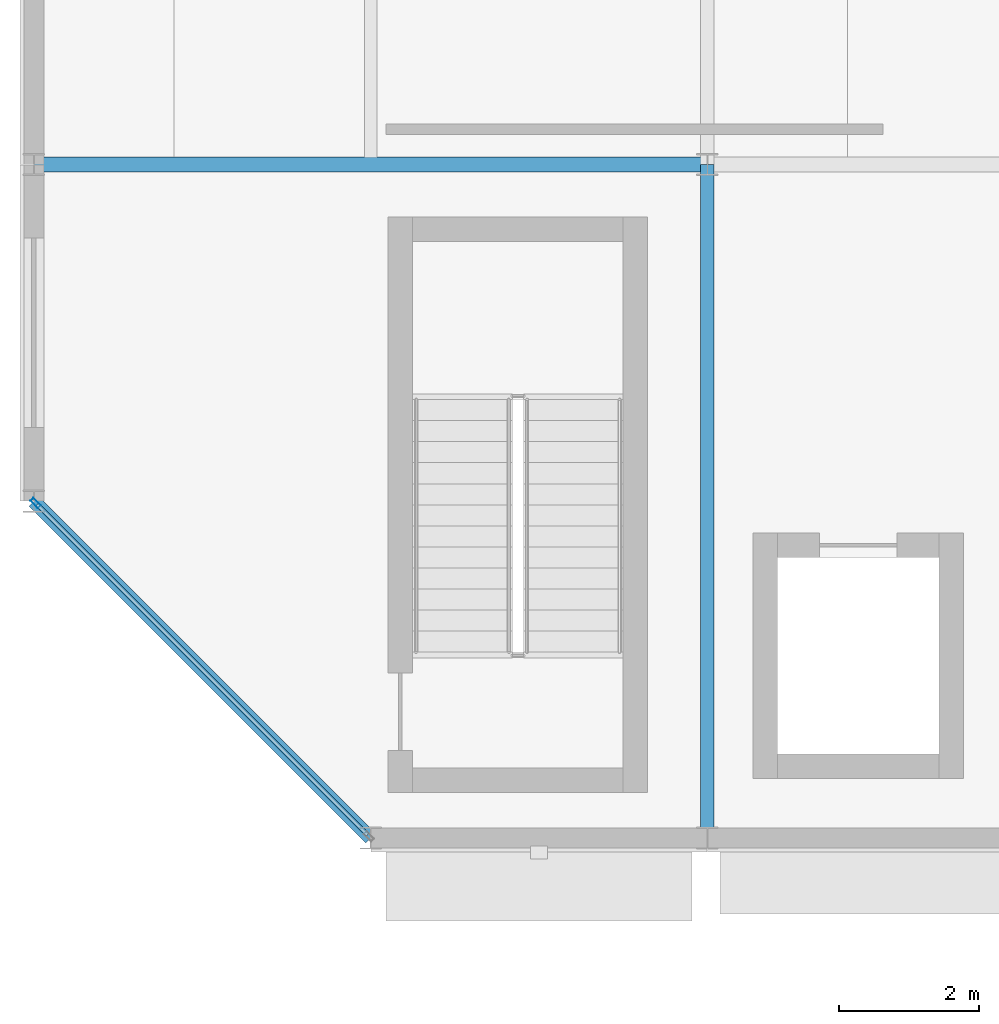
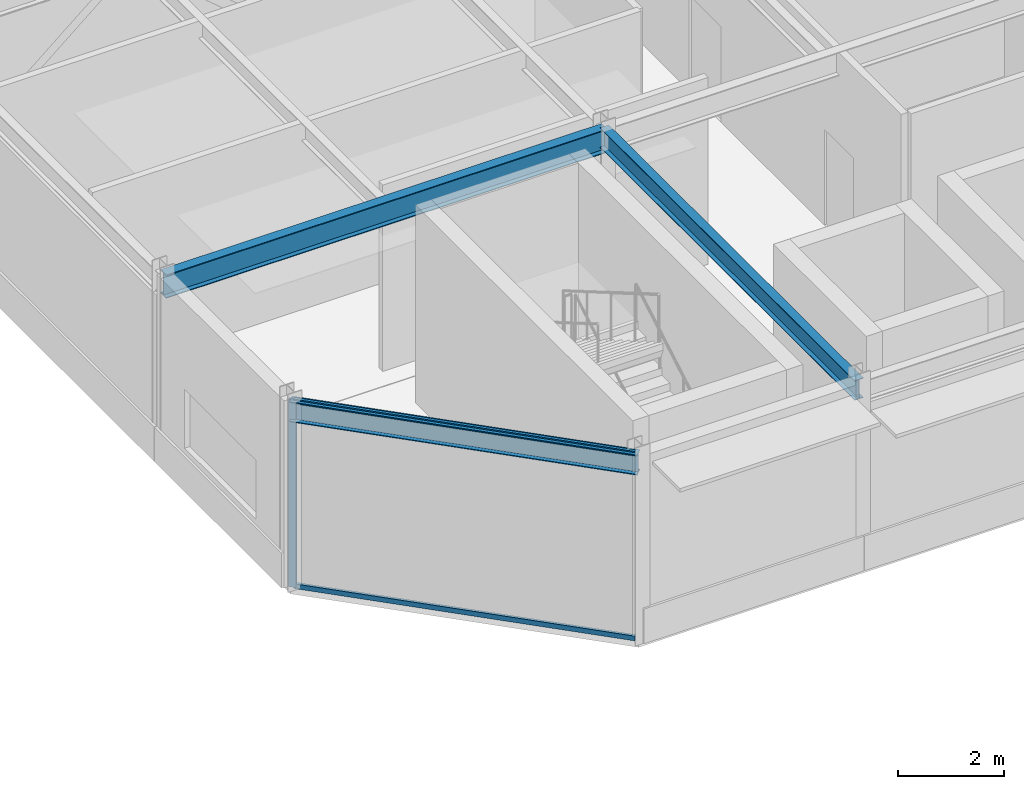
# One storey, part 8 of 50: 3 beams, 3 members, 1 element without a shape of its own.
"""IFC4 building model written with IfcOpenShell, lengths in metres."""

from ifc_helpers import new_model, si_unit, direction, frame, origin, origin_2d, place, context, subcontext, project, spatial, hollow_rectangle, i_section, extrude, material, material_profile, profile_set, type_object, element, aggregate, save


model = new_model("IFC4")

# Units and contexts
model_context = context("Model", 3, precision=1e-05, world=origin(), true_north=direction((0.0, 1.0)))
body_context = subcontext(model_context, "Body", "Model", "MODEL_VIEW")
ifc_project = project(units=[si_unit("LENGTHUNIT", "METRE"), si_unit("AREAUNIT", "SQUARE_METRE"), si_unit("VOLUMEUNIT", "CUBIC_METRE"), si_unit("PLANEANGLEUNIT", "RADIAN"), si_unit("MASSUNIT", "GRAM", prefix="KILO")], contexts=[model_context])

# Site, building, storey
site_placement = place(None, origin())
site = spatial("IfcSite", under=ifc_project, at=site_placement, CompositionType="ELEMENT")
building_placement = place(site_placement, origin())
building = spatial("IfcBuilding", under=site, at=building_placement, Name="Almandine Court Research Institute", CompositionType="ELEMENT")
storey_placement = place(building_placement, frame((0.0, 0.0, 23.449951171875)))
storey = spatial("IfcBuildingStorey", under=building, at=storey_placement, Name="L05", CompositionType="ELEMENT", Elevation=23.449951171875)

# Beams
ifc_material_1 = material(Name="Steel ASTM A992 Grade 50", Category="steel")
ifc_material_profile_1 = material_profile(ifc_material_1, i_section(OverallWidth=0.18994140625, OverallDepth=0.45703125, WebThickness=0.009033203125, FlangeThickness=0.014892578125, at=origin_2d()), Name="W460x74")
ifc_profile_set_1 = profile_set([ifc_material_profile_1], Name="Steel ASTM A992 Grade 50")
beam_type_1 = type_object("IfcBeamType", Name="Beam-B-01", PredefinedType="BEAM", material=ifc_profile_set_1)
beam_1_placement = place(storey_placement, frame((15.60009765625, 84.0, 4.080078125), z_axis=(0.0, 1.0, 0.0), x_axis=(-1.0, 0.0, 0.0)))
element("IfcBeam", 1, at=beam_1_placement, inside=storey, type_object=beam_type_1, Name="L05 V3 Primary Y Girder", PredefinedType="BEAM", context=body_context, shape_type="SweptSolid", body=[
    extrude(i_section(OverallWidth=0.18994140625, OverallDepth=0.45703125, WebThickness=0.009033203125, FlangeThickness=0.014892578125, at=origin_2d()), origin(), (0.0, 0.0, 1.0), 9.60009765625),
])
ifc_material_profile_2 = material_profile(ifc_material_1, i_section(OverallWidth=0.2109375, OverallDepth=0.5390625, WebThickness=0.011962890625, FlangeThickness=0.01904296875, at=origin_2d()), Name="W530x109")
ifc_profile_set_2 = profile_set([ifc_material_profile_2], Name="Steel ASTM A992 Grade 50")
beam_type_2 = type_object("IfcBeamType", Name="Beam-G-04", PredefinedType="BEAM", material=ifc_profile_set_2)
beam_2_placement = place(storey_placement, frame((6.0, 93.60009765625, 4.0390625), z_axis=(1.0, 0.0, 0.0), x_axis=(0.0, 1.0, 0.0)))
element("IfcBeam", 2, at=beam_2_placement, inside=storey, type_object=beam_type_2, Name="L05 V3 Primary X Girder", PredefinedType="BEAM", context=body_context, shape_type="SweptSolid", body=[
    extrude(i_section(OverallWidth=0.2109375, OverallDepth=0.5390625, WebThickness=0.011962890625, FlangeThickness=0.01904296875, at=origin_2d()), origin(), (0.0, 0.0, 1.0), 9.60009765625),
])
ifc_material_profile_3 = material_profile(ifc_material_1, i_section(OverallWidth=0.193115234375, OverallDepth=0.466064453125, WebThickness=0.010986328125, FlangeThickness=0.01904296875, at=origin_2d()), Name="W460x97")
ifc_profile_set_3 = profile_set([ifc_material_profile_3], Name="Steel ASTM A992 Grade 50")
beam_type_3 = type_object("IfcBeamType", Name="Beam-G-06-E", PredefinedType="SPANDREL", material=ifc_profile_set_3)
beam_3_placement = place(storey_placement, frame((6.0, 88.800048828125, 4.074951171875), z_axis=(0.707106781187, -0.707106781187, 0.0), x_axis=(0.707106781187, 0.707106781187, 0.0)))
element("IfcBeam", 3, at=beam_3_placement, inside=storey, type_object=beam_type_3, Name="L05 V3 Octagonal Chamfer Spandrel", PredefinedType="SPANDREL", context=body_context, shape_type="SweptSolid", body=[
    extrude(i_section(OverallWidth=0.193115234375, OverallDepth=0.466064453125, WebThickness=0.010986328125, FlangeThickness=0.01904296875, at=origin_2d()), origin(), (0.0, 0.0, 1.0), 6.788330078125),
])

# Curtain wall, members
ifc_material_2 = material(Name="Unitised Curtain Wall Framing and Solar Glazing", Category="glass")
curtain_wall_type = type_object("IfcCurtainWallType", Name="CW-CWG-10", PredefinedType="USERDEFINED", material=ifc_material_2)
curtain_wall_placement = place(storey_placement, origin())
curtain_wall = element("IfcCurtainWall", 4, at=curtain_wall_placement, inside=storey, type_object=curtain_wall_type, Name="L05 Cleanroom SW Chamfer Glazing", ObjectType="UNITISED GLAZING", PredefinedType="USERDEFINED")
ifc_material_3 = material(Name="Anodised Aluminium AW-6063-T6", Category="aluminium")
ifc_material_profile_4 = material_profile(ifc_material_3, hollow_rectangle(XDim=0.06005859375, YDim=0.14990234375, WallThickness=0.00390625, at=origin_2d()), Name="ALU RHS 60x150x4")
ifc_profile_set_4 = profile_set([ifc_material_profile_4], Name="Anodised Aluminium AW-6063-T6")
member_type_1 = type_object("IfcMemberType", Name="CWMul-60x150", PredefinedType="MULLION", material=ifc_profile_set_4)
member_1_placement = place(storey_placement, frame((6.025146484375, 88.77490234375, 0.0), z_axis=(0.0, 0.0, 1.0), x_axis=(-0.707106781187, -0.707106781187, 0.0)))
member_1 = element("IfcMember", 5, at=member_1_placement, type_object=member_type_1, Name="CWG-10 mullion 2", PredefinedType="MULLION", context=body_context, shape_type="SweptSolid", body=[
    extrude(hollow_rectangle(XDim=0.06005859375, YDim=0.14990234375, WallThickness=0.00390625, at=origin_2d()), origin(), (0.0, 0.0, 1.0), 4.31005859375),
])
ifc_material_profile_5 = material_profile(ifc_material_3, hollow_rectangle(XDim=0.06005859375, YDim=0.110107421875, WallThickness=0.00390625, at=origin_2d()), Name="ALU RHS 60x110x4")
ifc_profile_set_5 = profile_set([ifc_material_profile_5], Name="Anodised Aluminium AW-6063-T6")
member_type_2 = type_object("IfcMemberType", Name="CWTrn-60x110", PredefinedType="NOTDEFINED", material=ifc_profile_set_5)
member_2_placement = place(storey_placement, frame((10.753662109375, 84.04638671875, 0.030029296875), z_axis=(-0.707106781187, 0.707106781187, 0.0), x_axis=(-0.707106781187, -0.707106781187, 0.0)))
member_2 = element("IfcMember", 6, at=member_2_placement, type_object=member_type_2, Name="CWG-10 transom 1.1", ObjectType="TRANSOM", PredefinedType="USERDEFINED", context=body_context, shape_type="SweptSolid", body=[
    extrude(hollow_rectangle(XDim=0.06005859375, YDim=0.110107421875, WallThickness=0.00390625, at=origin_2d()), origin(), (0.0, 0.0, 1.0), 6.656982421875),
])
member_3_placement = place(storey_placement, frame((10.753662109375, 84.04638671875, 4.280029296875), z_axis=(-0.707106781187, 0.707106781187, 0.0), x_axis=(-0.707106781187, -0.707106781187, 0.0)))
member_3 = element("IfcMember", 7, at=member_3_placement, type_object=member_type_2, Name="CWG-10 transom 1.2", ObjectType="TRANSOM", PredefinedType="USERDEFINED", context=body_context, shape_type="SweptSolid", body=[
    extrude(hollow_rectangle(XDim=0.06005859375, YDim=0.110107421875, WallThickness=0.00390625, at=origin_2d()), origin(), (0.0, 0.0, 1.0), 6.656982421875),
])
aggregate(curtain_wall, [member_1, member_2, member_3])

save(model, "model.ifc")
